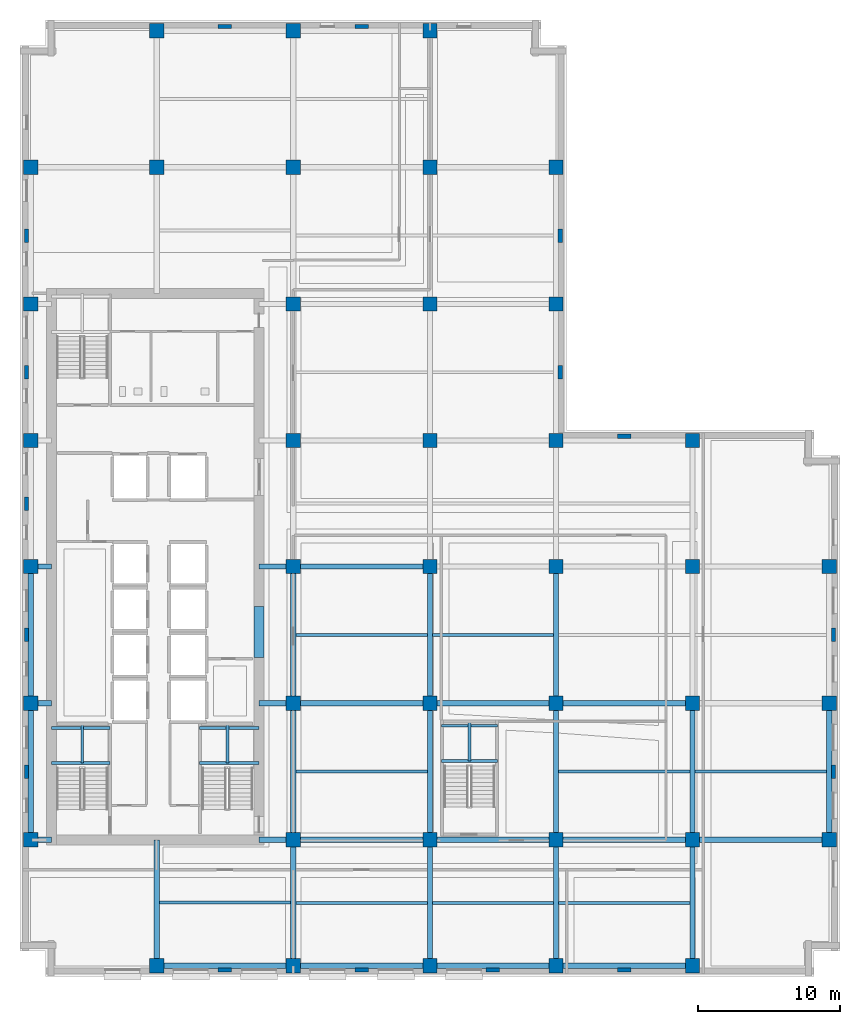
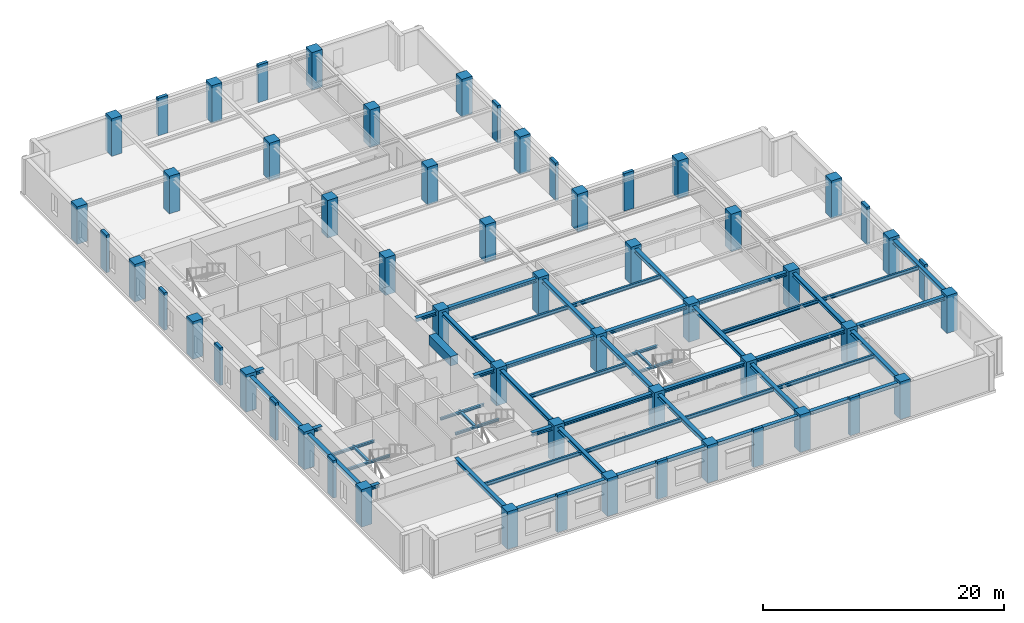
# One storey, part 1 of 12: 56 columns, 52 beams.
"""IFC4 building model written with IfcOpenShell, lengths in metres."""

from ifc_helpers import new_model, si_unit, direction, frame, origin, origin_2d, place, context, subcontext, project, spatial, rectangle, i_section, extrude, material, material_profile, profile_set, type_object, element, save


model = new_model("IFC4")

# Units and contexts
model_context = context("Model", 3, precision=1e-05, world=origin(), true_north=direction((0.0, 1.0)))
body_context = subcontext(model_context, "Body", "Model", "MODEL_VIEW")
ifc_project = project(units=[si_unit("LENGTHUNIT", "METRE"), si_unit("AREAUNIT", "SQUARE_METRE"), si_unit("VOLUMEUNIT", "CUBIC_METRE"), si_unit("PLANEANGLEUNIT", "RADIAN"), si_unit("MASSUNIT", "GRAM", prefix="KILO")], contexts=[model_context])

# Site, building, storey
site_placement = place(None, origin())
site = spatial("IfcSite", under=ifc_project, at=site_placement, CompositionType="ELEMENT")
building_placement = place(site_placement, origin())
building = spatial("IfcBuilding", under=site, at=building_placement, Name="Norrvale University Quadrangle", CompositionType="ELEMENT")
storey_placement = place(building_placement, frame((0.0, 0.0, 105.199951171875)))
storey = spatial("IfcBuildingStorey", under=building, at=storey_placement, Name="L26", CompositionType="ELEMENT", Elevation=105.199951171875)

# Columns
ifc_material_1 = material(Name="Red Manganese Brick Concrete C60/75", Category="concrete")
ifc_material_profile_1 = material_profile(ifc_material_1, rectangle(XDim=0.949951171875, YDim=0.300048828125, at=origin_2d()), Name="Red Manganese Brick Concrete C60/75")
ifc_profile_set_1 = profile_set([ifc_material_profile_1], Name="Red Manganese Brick Concrete C60/75")
column_type_1 = type_object("IfcColumnType", Name="Column Brick Pier 950x300", PredefinedType="PILASTER", material=ifc_profile_set_1)
for number, where, z_axis, x_axis, name in (
    (1, (0.449951171875, 14.39990234375, 0.0), (0.0, 0.0, 1.0), (0.0, 1.0, 0.0), "Exterior Brick Facade Pilaster L26-01"),
    (2, (0.449951171875, 24.0, 0.0), (0.0, 0.0, 1.0), (0.0, 1.0, 0.0), "Exterior Brick Facade Pilaster L26-02"),
    (3, (0.449951171875, 33.199951171875, 0.0), (0.0, 0.0, 1.0), (0.0, 1.0, 0.0), "Exterior Brick Facade Pilaster L26-03"),
    (4, (0.449951171875, 42.449951171875, 0.0), (0.0, 0.0, 1.0), (0.0, 1.0, 0.0), "Exterior Brick Facade Pilaster L26-04"),
    (5, (0.449951171875, 52.050048828125, 0.0), (0.0, 0.0, 1.0), (0.0, 1.0, 0.0), "Exterior Brick Facade Pilaster L26-05"),
    (6, (14.39990234375, 0.449951171875, 0.0), (0.0, 0.0, 1.0), (1.0, 0.0, 0.0), "Exterior Brick Facade Pilaster L26-06"),
    (7, (24.0, 0.449951171875, 0.0), (0.0, 0.0, 1.0), (1.0, 0.0, 0.0), "Exterior Brick Facade Pilaster L26-07"),
    (8, (33.199951171875, 0.449951171875, 0.0), (0.0, 0.0, 1.0), (1.0, 0.0, 0.0), "Exterior Brick Facade Pilaster L26-08"),
    (9, (42.449951171875, 0.449951171875, 0.0), (0.0, 0.0, 1.0), (1.0, 0.0, 0.0), "Exterior Brick Facade Pilaster L26-09"),
    (10, (57.14990234375, 14.39990234375, 0.0), (0.0, 0.0, 1.0), (0.0, 1.0, 0.0), "Exterior Brick Facade Pilaster L26-10"),
    (11, (57.14990234375, 24.0, 0.0), (0.0, 0.0, 1.0), (0.0, 1.0, 0.0), "Exterior Brick Facade Pilaster L26-11"),
    (12, (14.39990234375, 66.75, 0.0), (0.0, 0.0, 1.0), (1.0, 0.0, 0.0), "Exterior Brick Facade Pilaster L26-12"),
    (13, (24.0, 66.75, 0.0), (0.0, 0.0, 1.0), (1.0, 0.0, 0.0), "Exterior Brick Facade Pilaster L26-13"),
    (14, (37.949951171875, 42.449951171875, 0.0), (0.0, 0.0, 1.0), (0.0, 1.0, 0.0), "Exterior Brick Facade Pilaster L26-14"),
    (15, (37.949951171875, 52.050048828125, 0.0), (0.0, 0.0, 1.0), (0.0, 1.0, 0.0), "Exterior Brick Facade Pilaster L26-15"),
    (16, (42.449951171875, 37.949951171875, 0.0), (0.0, 0.0, 1.0), (1.0, 0.0, 0.0), "Exterior Brick Facade Pilaster L26-16"),
):
    element("IfcColumn", number, at=place(storey_placement, frame(where, z_axis=z_axis, x_axis=x_axis)), inside=storey, type_object=column_type_1, Name=name, PredefinedType="PILASTER", context=body_context, shape_type="SweptSolid", body=[
        extrude(rectangle(XDim=0.949951171875, YDim=0.300048828125, at=origin_2d()), origin(), (0.0, 0.0, 1.0), 3.800048828125),
    ])
ifc_material_2 = material(Name="Concrete C60/75", Category="concrete")
ifc_material_profile_2 = material_profile(ifc_material_2, rectangle(XDim=1.0, YDim=1.0, at=origin_2d()), Name="Concrete C60/75")
ifc_profile_set_2 = profile_set([ifc_material_profile_2], Name="Concrete C60/75")
column_type_2 = type_object("IfcColumnType", Name="Column Tower Z2 1000x1000", PredefinedType="COLUMN", material=ifc_profile_set_2)
for number, where, z_axis, x_axis, name in (
    (17, (0.75, 9.60009765625, 0.0), (0.0, 0.0, 1.0), (1.0, 0.0, 0.0), "Tower Column L26-T01"),
    (18, (0.75, 19.199951171875, 0.0), (0.0, 0.0, 1.0), (1.0, 0.0, 0.0), "Tower Column L26-T02"),
    (19, (0.75, 28.800048828125, 0.0), (0.0, 0.0, 1.0), (1.0, 0.0, 0.0), "Tower Column L26-T03"),
    (20, (0.75, 37.64990234375, 0.0), (0.0, 0.0, 1.0), (1.0, 0.0, 0.0), "Tower Column L26-T04"),
    (21, (0.75, 47.25, 0.0), (0.0, 0.0, 1.0), (1.0, 0.0, 0.0), "Tower Column L26-T05"),
    (22, (0.75, 56.85009765625, 0.0), (0.0, 0.0, 1.0), (1.0, 0.0, 0.0), "Tower Column L26-T06"),
    (23, (9.60009765625, 0.75, 0.0), (0.0, 0.0, 1.0), (1.0, 0.0, 0.0), "Tower Column L26-T07"),
    (24, (9.60009765625, 56.85009765625, 0.0), (0.0, 0.0, 1.0), (1.0, 0.0, 0.0), "Tower Column L26-T08"),
    (25, (9.60009765625, 66.449951171875, 0.0), (0.0, 0.0, 1.0), (1.0, 0.0, 0.0), "Tower Column L26-T09"),
    (26, (19.199951171875, 0.75, 0.0), (0.0, 0.0, 1.0), (1.0, 0.0, 0.0), "Tower Column L26-T10"),
    (27, (19.199951171875, 9.60009765625, 0.0), (0.0, 0.0, 1.0), (1.0, 0.0, 0.0), "Tower Column L26-T11"),
    (28, (19.199951171875, 19.199951171875, 0.0), (0.0, 0.0, 1.0), (1.0, 0.0, 0.0), "Tower Column L26-T12"),
    (29, (19.199951171875, 28.800048828125, 0.0), (0.0, 0.0, 1.0), (1.0, 0.0, 0.0), "Tower Column L26-T13"),
    (30, (19.199951171875, 37.64990234375, 0.0), (0.0, 0.0, 1.0), (1.0, 0.0, 0.0), "Tower Column L26-T14"),
    (31, (19.199951171875, 47.25, 0.0), (0.0, 0.0, 1.0), (1.0, 0.0, 0.0), "Tower Column L26-T15"),
    (32, (19.199951171875, 56.85009765625, 0.0), (0.0, 0.0, 1.0), (1.0, 0.0, 0.0), "Tower Column L26-T16"),
    (33, (19.199951171875, 66.449951171875, 0.0), (0.0, 0.0, 1.0), (1.0, 0.0, 0.0), "Tower Column L26-T17"),
    (34, (28.800048828125, 0.75, 0.0), (0.0, 0.0, 1.0), (1.0, 0.0, 0.0), "Tower Column L26-T18"),
    (35, (28.800048828125, 9.60009765625, 0.0), (0.0, 0.0, 1.0), (1.0, 0.0, 0.0), "Tower Column L26-T19"),
    (36, (28.800048828125, 19.199951171875, 0.0), (0.0, 0.0, 1.0), (1.0, 0.0, 0.0), "Tower Column L26-T20"),
    (37, (28.800048828125, 28.800048828125, 0.0), (0.0, 0.0, 1.0), (1.0, 0.0, 0.0), "Tower Column L26-T21"),
    (38, (28.800048828125, 37.64990234375, 0.0), (0.0, 0.0, 1.0), (1.0, 0.0, 0.0), "Tower Column L26-T22"),
    (39, (28.800048828125, 47.25, 0.0), (0.0, 0.0, 1.0), (1.0, 0.0, 0.0), "Tower Column L26-T23"),
    (40, (28.800048828125, 56.85009765625, 0.0), (0.0, 0.0, 1.0), (1.0, 0.0, 0.0), "Tower Column L26-T24"),
    (41, (28.800048828125, 66.449951171875, 0.0), (0.0, 0.0, 1.0), (1.0, 0.0, 0.0), "Tower Column L26-T25"),
    (42, (37.64990234375, 0.75, 0.0), (0.0, 0.0, 1.0), (1.0, 0.0, 0.0), "Tower Column L26-T26"),
    (43, (37.64990234375, 9.60009765625, 0.0), (0.0, 0.0, 1.0), (1.0, 0.0, 0.0), "Tower Column L26-T27"),
    (44, (37.64990234375, 19.199951171875, 0.0), (0.0, 0.0, 1.0), (1.0, 0.0, 0.0), "Tower Column L26-T28"),
    (45, (37.64990234375, 28.800048828125, 0.0), (0.0, 0.0, 1.0), (1.0, 0.0, 0.0), "Tower Column L26-T29"),
    (46, (37.64990234375, 37.64990234375, 0.0), (0.0, 0.0, 1.0), (1.0, 0.0, 0.0), "Tower Column L26-T30"),
    (47, (37.64990234375, 47.25, 0.0), (0.0, 0.0, 1.0), (1.0, 0.0, 0.0), "Tower Column L26-T31"),
    (48, (37.64990234375, 56.85009765625, 0.0), (0.0, 0.0, 1.0), (1.0, 0.0, 0.0), "Tower Column L26-T32"),
    (49, (47.25, 0.75, 0.0), (0.0, 0.0, 1.0), (1.0, 0.0, 0.0), "Tower Column L26-T33"),
    (50, (47.25, 9.60009765625, 0.0), (0.0, 0.0, 1.0), (1.0, 0.0, 0.0), "Tower Column L26-T34"),
    (51, (47.25, 19.199951171875, 0.0), (0.0, 0.0, 1.0), (1.0, 0.0, 0.0), "Tower Column L26-T35"),
    (52, (47.25, 28.800048828125, 0.0), (0.0, 0.0, 1.0), (1.0, 0.0, 0.0), "Tower Column L26-T36"),
    (53, (47.25, 37.64990234375, 0.0), (0.0, 0.0, 1.0), (1.0, 0.0, 0.0), "Tower Column L26-T37"),
    (54, (56.85009765625, 9.60009765625, 0.0), (0.0, 0.0, 1.0), (1.0, 0.0, 0.0), "Tower Column L26-T38"),
    (55, (56.85009765625, 19.199951171875, 0.0), (0.0, 0.0, 1.0), (1.0, 0.0, 0.0), "Tower Column L26-T39"),
    (56, (56.85009765625, 28.800048828125, 0.0), (0.0, 0.0, 1.0), (1.0, 0.0, 0.0), "Tower Column L26-T40"),
):
    element("IfcColumn", number, at=place(storey_placement, frame(where, z_axis=z_axis, x_axis=x_axis)), inside=storey, type_object=column_type_2, Name=name, PredefinedType="COLUMN", context=body_context, shape_type="SweptSolid", body=[
        extrude(rectangle(XDim=1.0, YDim=1.0, at=origin_2d()), origin(), (0.0, 0.0, 1.0), 3.800048828125),
    ])

# Beams
ifc_material_3 = material(Name="Concrete C80/95", Category="concrete")
ifc_material_profile_3 = material_profile(ifc_material_3, rectangle(XDim=0.699951171875, YDim=0.949951171875, at=origin_2d()), Name="Concrete C80/95")
ifc_profile_set_3 = profile_set([ifc_material_profile_3], Name="Concrete C80/95")
beam_type_1 = type_object("IfcBeamType", Name="Beam Core Link 700x950", PredefinedType="LINTEL", material=ifc_profile_set_3)
beam_1_placement = place(storey_placement, frame((16.800048828125, 22.39990234375, 3.06494140625), z_axis=(0.0, 1.0, 0.0), x_axis=(-1.0, 0.0, 0.0)))
element("IfcBeam", 57, at=beam_1_placement, inside=storey, type_object=beam_type_1, Name="Core Coupling Lintel Beam L26-1", PredefinedType="LINTEL", context=body_context, shape_type="SweptSolid", body=[
    extrude(rectangle(XDim=0.699951171875, YDim=0.949951171875, at=origin_2d()), origin(), (0.0, 0.0, 1.0), 3.60009765625),
])
ifc_material_4 = material(Name="Steel 350W", Category="steel")
ifc_material_profile_4 = material_profile(ifc_material_4, i_section(OverallWidth=0.368896484375, OverallDepth=0.35595703125, WebThickness=0.01123046875, FlangeThickness=0.01806640625, FilletRadius=0.014892578125, at=origin_2d()), Name="Steel 350W")
ifc_profile_set_4 = profile_set([ifc_material_profile_4], Name="Steel 350W")
beam_type_2 = type_object("IfcBeamType", Name="Beam Crown W360x134", PredefinedType="BEAM", material=ifc_profile_set_4)
beam_2_placement = place(storey_placement, frame((9.60009765625, 0.75, 3.362060546875), z_axis=(1.0, 0.0, 0.0), x_axis=(0.0, 1.0, 0.0)))
element("IfcBeam", 58, at=beam_2_placement, inside=storey, type_object=beam_type_2, Name="Beam Crown W360x134 BM-L26-GX001", PredefinedType="BEAM", context=body_context, shape_type="SweptSolid", body=[
    extrude(i_section(OverallWidth=0.368896484375, OverallDepth=0.35595703125, WebThickness=0.01123046875, FlangeThickness=0.01806640625, FilletRadius=0.014892578125, at=origin_2d()), origin(), (0.0, 0.0, 1.0), 9.599853515625),
])
beam_3_placement = place(storey_placement, frame((19.199951171875, 0.75, 3.362060546875), z_axis=(1.0, 0.0, 0.0), x_axis=(0.0, 1.0, 0.0)))
element("IfcBeam", 59, at=beam_3_placement, inside=storey, type_object=beam_type_2, Name="Beam Crown W360x134 BM-L26-GX002", PredefinedType="BEAM", context=body_context, shape_type="SweptSolid", body=[
    extrude(i_section(OverallWidth=0.368896484375, OverallDepth=0.35595703125, WebThickness=0.01123046875, FlangeThickness=0.01806640625, FilletRadius=0.014892578125, at=origin_2d()), origin(), (0.0, 0.0, 1.0), 9.60009765625),
])
beam_4_placement = place(storey_placement, frame((28.800048828125, 0.75, 3.362060546875), z_axis=(1.0, 0.0, 0.0), x_axis=(0.0, 1.0, 0.0)))
element("IfcBeam", 60, at=beam_4_placement, inside=storey, type_object=beam_type_2, Name="Beam Crown W360x134 BM-L26-GX003", PredefinedType="BEAM", context=body_context, shape_type="SweptSolid", body=[
    extrude(i_section(OverallWidth=0.368896484375, OverallDepth=0.35595703125, WebThickness=0.01123046875, FlangeThickness=0.01806640625, FilletRadius=0.014892578125, at=origin_2d()), origin(), (0.0, 0.0, 1.0), 8.849853515625),
])
for number, where, z_axis, x_axis, name in (
    (61, (37.64990234375, 0.75, 3.362060546875), (1.0, 0.0, 0.0), (0.0, 1.0, 0.0), "Beam Crown W360x134 BM-L26-GX004"),
    (62, (19.199951171875, 9.60009765625, 3.362060546875), (1.0, 0.0, 0.0), (0.0, 1.0, 0.0), "Beam Crown W360x134 BM-L26-GX005"),
):
    element("IfcBeam", number, at=place(storey_placement, frame(where, z_axis=z_axis, x_axis=x_axis)), inside=storey, type_object=beam_type_2, Name=name, PredefinedType="BEAM", context=body_context, shape_type="SweptSolid", body=[
        extrude(i_section(OverallWidth=0.368896484375, OverallDepth=0.35595703125, WebThickness=0.01123046875, FlangeThickness=0.01806640625, FilletRadius=0.014892578125, at=origin_2d()), origin(), (0.0, 0.0, 1.0), 9.60009765625),
    ])
beam_5_placement = place(storey_placement, frame((28.800048828125, 9.60009765625, 3.362060546875), z_axis=(1.0, 0.0, 0.0), x_axis=(0.0, 1.0, 0.0)))
element("IfcBeam", 63, at=beam_5_placement, inside=storey, type_object=beam_type_2, Name="Beam Crown W360x134 BM-L26-GX006", PredefinedType="BEAM", context=body_context, shape_type="SweptSolid", body=[
    extrude(i_section(OverallWidth=0.368896484375, OverallDepth=0.35595703125, WebThickness=0.01123046875, FlangeThickness=0.01806640625, FilletRadius=0.014892578125, at=origin_2d()), origin(), (0.0, 0.0, 1.0), 8.849853515625),
])
for number, where, z_axis, x_axis, name in (
    (64, (37.64990234375, 9.60009765625, 3.362060546875), (1.0, 0.0, 0.0), (0.0, 1.0, 0.0), "Beam Crown W360x134 BM-L26-GX007"),
    (65, (47.25, 9.60009765625, 3.362060546875), (1.0, 0.0, 0.0), (0.0, 1.0, 0.0), "Beam Crown W360x134 BM-L26-GX008"),
    (66, (19.199951171875, 19.199951171875, 3.362060546875), (1.0, 0.0, 0.0), (0.0, 1.0, 0.0), "Beam Crown W360x134 BM-L26-GX009"),
):
    element("IfcBeam", number, at=place(storey_placement, frame(where, z_axis=z_axis, x_axis=x_axis)), inside=storey, type_object=beam_type_2, Name=name, PredefinedType="BEAM", context=body_context, shape_type="SweptSolid", body=[
        extrude(i_section(OverallWidth=0.368896484375, OverallDepth=0.35595703125, WebThickness=0.01123046875, FlangeThickness=0.01806640625, FilletRadius=0.014892578125, at=origin_2d()), origin(), (0.0, 0.0, 1.0), 9.60009765625),
    ])
beam_6_placement = place(storey_placement, frame((28.800048828125, 19.199951171875, 3.362060546875), z_axis=(1.0, 0.0, 0.0), x_axis=(0.0, 1.0, 0.0)))
element("IfcBeam", 67, at=beam_6_placement, inside=storey, type_object=beam_type_2, Name="Beam Crown W360x134 BM-L26-GX010", PredefinedType="BEAM", context=body_context, shape_type="SweptSolid", body=[
    extrude(i_section(OverallWidth=0.368896484375, OverallDepth=0.35595703125, WebThickness=0.01123046875, FlangeThickness=0.01806640625, FilletRadius=0.014892578125, at=origin_2d()), origin(), (0.0, 0.0, 1.0), 8.849853515625),
])
for number, where, z_axis, x_axis, name in (
    (68, (37.64990234375, 19.199951171875, 3.362060546875), (1.0, 0.0, 0.0), (0.0, 1.0, 0.0), "Beam Crown W360x134 BM-L26-GX011"),
    (69, (19.199951171875, 28.800048828125, 3.362060546875), (1.0, 0.0, 0.0), (0.0, 1.0, 0.0), "Beam Crown W360x134 BM-L26-GX013"),
):
    element("IfcBeam", number, at=place(storey_placement, frame(where, z_axis=z_axis, x_axis=x_axis)), inside=storey, type_object=beam_type_2, Name=name, PredefinedType="BEAM", context=body_context, shape_type="SweptSolid", body=[
        extrude(i_section(OverallWidth=0.368896484375, OverallDepth=0.35595703125, WebThickness=0.01123046875, FlangeThickness=0.01806640625, FilletRadius=0.014892578125, at=origin_2d()), origin(), (0.0, 0.0, 1.0), 9.60009765625),
    ])
beam_7_placement = place(storey_placement, frame((0.75, 9.60009765625, 3.362060546875), z_axis=(0.0, 1.0, 0.0), x_axis=(-1.0, 0.0, 0.0)))
element("IfcBeam", 70, at=beam_7_placement, inside=storey, type_object=beam_type_2, Name="Beam Crown W360x134 BM-L26-GY028", PredefinedType="BEAM", context=body_context, shape_type="SweptSolid", body=[
    extrude(i_section(OverallWidth=0.368896484375, OverallDepth=0.35595703125, WebThickness=0.01123046875, FlangeThickness=0.01806640625, FilletRadius=0.014892578125, at=origin_2d()), origin(), (0.0, 0.0, 1.0), 9.599853515625),
])
beam_8_placement = place(storey_placement, frame((0.75, 19.199951171875, 3.362060546875), z_axis=(0.0, 1.0, 0.0), x_axis=(-1.0, 0.0, 0.0)))
element("IfcBeam", 71, at=beam_8_placement, inside=storey, type_object=beam_type_2, Name="Beam Crown W360x134 BM-L26-GY029", PredefinedType="BEAM", context=body_context, shape_type="SweptSolid", body=[
    extrude(i_section(OverallWidth=0.368896484375, OverallDepth=0.35595703125, WebThickness=0.01123046875, FlangeThickness=0.01806640625, FilletRadius=0.014892578125, at=origin_2d()), origin(), (0.0, 0.0, 1.0), 9.60009765625),
])
beam_9_placement = place(storey_placement, frame((19.199951171875, 0.75, 3.362060546875), z_axis=(0.0, 1.0, 0.0), x_axis=(-1.0, 0.0, 0.0)))
element("IfcBeam", 72, at=beam_9_placement, inside=storey, type_object=beam_type_2, Name="Beam Crown W360x134 BM-L26-GY034", PredefinedType="BEAM", context=body_context, shape_type="SweptSolid", body=[
    extrude(i_section(OverallWidth=0.368896484375, OverallDepth=0.35595703125, WebThickness=0.01123046875, FlangeThickness=0.01806640625, FilletRadius=0.014892578125, at=origin_2d()), origin(), (0.0, 0.0, 1.0), 8.85009765625),
])
beam_10_placement = place(storey_placement, frame((19.199951171875, 9.60009765625, 3.362060546875), z_axis=(0.0, 1.0, 0.0), x_axis=(-1.0, 0.0, 0.0)))
element("IfcBeam", 73, at=beam_10_placement, inside=storey, type_object=beam_type_2, Name="Beam Crown W360x134 BM-L26-GY035", PredefinedType="BEAM", context=body_context, shape_type="SweptSolid", body=[
    extrude(i_section(OverallWidth=0.368896484375, OverallDepth=0.35595703125, WebThickness=0.01123046875, FlangeThickness=0.01806640625, FilletRadius=0.014892578125, at=origin_2d()), origin(), (0.0, 0.0, 1.0), 9.599853515625),
])
beam_11_placement = place(storey_placement, frame((19.199951171875, 19.199951171875, 3.362060546875), z_axis=(0.0, 1.0, 0.0), x_axis=(-1.0, 0.0, 0.0)))
element("IfcBeam", 74, at=beam_11_placement, inside=storey, type_object=beam_type_2, Name="Beam Crown W360x134 BM-L26-GY036", PredefinedType="BEAM", context=body_context, shape_type="SweptSolid", body=[
    extrude(i_section(OverallWidth=0.368896484375, OverallDepth=0.35595703125, WebThickness=0.01123046875, FlangeThickness=0.01806640625, FilletRadius=0.014892578125, at=origin_2d()), origin(), (0.0, 0.0, 1.0), 9.60009765625),
])
beam_12_placement = place(storey_placement, frame((28.800048828125, 0.75, 3.362060546875), z_axis=(0.0, 1.0, 0.0), x_axis=(-1.0, 0.0, 0.0)))
element("IfcBeam", 75, at=beam_12_placement, inside=storey, type_object=beam_type_2, Name="Beam Crown W360x134 BM-L26-GY041", PredefinedType="BEAM", context=body_context, shape_type="SweptSolid", body=[
    extrude(i_section(OverallWidth=0.368896484375, OverallDepth=0.35595703125, WebThickness=0.01123046875, FlangeThickness=0.01806640625, FilletRadius=0.014892578125, at=origin_2d()), origin(), (0.0, 0.0, 1.0), 8.85009765625),
])
beam_13_placement = place(storey_placement, frame((28.800048828125, 9.60009765625, 3.362060546875), z_axis=(0.0, 1.0, 0.0), x_axis=(-1.0, 0.0, 0.0)))
element("IfcBeam", 76, at=beam_13_placement, inside=storey, type_object=beam_type_2, Name="Beam Crown W360x134 BM-L26-GY042", PredefinedType="BEAM", context=body_context, shape_type="SweptSolid", body=[
    extrude(i_section(OverallWidth=0.368896484375, OverallDepth=0.35595703125, WebThickness=0.01123046875, FlangeThickness=0.01806640625, FilletRadius=0.014892578125, at=origin_2d()), origin(), (0.0, 0.0, 1.0), 9.599853515625),
])
beam_14_placement = place(storey_placement, frame((28.800048828125, 19.199951171875, 3.362060546875), z_axis=(0.0, 1.0, 0.0), x_axis=(-1.0, 0.0, 0.0)))
element("IfcBeam", 77, at=beam_14_placement, inside=storey, type_object=beam_type_2, Name="Beam Crown W360x134 BM-L26-GY043", PredefinedType="BEAM", context=body_context, shape_type="SweptSolid", body=[
    extrude(i_section(OverallWidth=0.368896484375, OverallDepth=0.35595703125, WebThickness=0.01123046875, FlangeThickness=0.01806640625, FilletRadius=0.014892578125, at=origin_2d()), origin(), (0.0, 0.0, 1.0), 9.60009765625),
])
beam_15_placement = place(storey_placement, frame((37.64990234375, 0.75, 3.362060546875), z_axis=(0.0, 1.0, 0.0), x_axis=(-1.0, 0.0, 0.0)))
element("IfcBeam", 78, at=beam_15_placement, inside=storey, type_object=beam_type_2, Name="Beam Crown W360x134 BM-L26-GY048", PredefinedType="BEAM", context=body_context, shape_type="SweptSolid", body=[
    extrude(i_section(OverallWidth=0.368896484375, OverallDepth=0.35595703125, WebThickness=0.01123046875, FlangeThickness=0.01806640625, FilletRadius=0.014892578125, at=origin_2d()), origin(), (0.0, 0.0, 1.0), 8.85009765625),
])
beam_16_placement = place(storey_placement, frame((37.64990234375, 9.60009765625, 3.362060546875), z_axis=(0.0, 1.0, 0.0), x_axis=(-1.0, 0.0, 0.0)))
element("IfcBeam", 79, at=beam_16_placement, inside=storey, type_object=beam_type_2, Name="Beam Crown W360x134 BM-L26-GY049", PredefinedType="BEAM", context=body_context, shape_type="SweptSolid", body=[
    extrude(i_section(OverallWidth=0.368896484375, OverallDepth=0.35595703125, WebThickness=0.01123046875, FlangeThickness=0.01806640625, FilletRadius=0.014892578125, at=origin_2d()), origin(), (0.0, 0.0, 1.0), 9.599853515625),
])
beam_17_placement = place(storey_placement, frame((37.64990234375, 19.199951171875, 3.362060546875), z_axis=(0.0, 1.0, 0.0), x_axis=(-1.0, 0.0, 0.0)))
element("IfcBeam", 80, at=beam_17_placement, inside=storey, type_object=beam_type_2, Name="Beam Crown W360x134 BM-L26-GY050", PredefinedType="BEAM", context=body_context, shape_type="SweptSolid", body=[
    extrude(i_section(OverallWidth=0.368896484375, OverallDepth=0.35595703125, WebThickness=0.01123046875, FlangeThickness=0.01806640625, FilletRadius=0.014892578125, at=origin_2d()), origin(), (0.0, 0.0, 1.0), 9.60009765625),
])
beam_18_placement = place(storey_placement, frame((47.25, 0.75, 3.362060546875), z_axis=(0.0, 1.0, 0.0), x_axis=(-1.0, 0.0, 0.0)))
element("IfcBeam", 81, at=beam_18_placement, inside=storey, type_object=beam_type_2, Name="Beam Crown W360x134 BM-L26-GY054", PredefinedType="BEAM", context=body_context, shape_type="SweptSolid", body=[
    extrude(i_section(OverallWidth=0.368896484375, OverallDepth=0.35595703125, WebThickness=0.01123046875, FlangeThickness=0.01806640625, FilletRadius=0.014892578125, at=origin_2d()), origin(), (0.0, 0.0, 1.0), 8.85009765625),
])
for number, where, z_axis, x_axis, name in (
    (82, (47.25, 9.60009765625, 3.362060546875), (0.0, 1.0, 0.0), (-1.0, 0.0, 0.0), "Beam Crown W360x134 BM-L26-GY055"),
    (83, (56.85009765625, 9.60009765625, 3.362060546875), (0.0, 1.0, 0.0), (-1.0, 0.0, 0.0), "Beam Crown W360x134 BM-L26-GY058"),
):
    element("IfcBeam", number, at=place(storey_placement, frame(where, z_axis=z_axis, x_axis=x_axis)), inside=storey, type_object=beam_type_2, Name=name, PredefinedType="BEAM", context=body_context, shape_type="SweptSolid", body=[
        extrude(i_section(OverallWidth=0.368896484375, OverallDepth=0.35595703125, WebThickness=0.01123046875, FlangeThickness=0.01806640625, FilletRadius=0.014892578125, at=origin_2d()), origin(), (0.0, 0.0, 1.0), 9.599853515625),
    ])
beam_19_placement = place(storey_placement, frame((0.75, 9.60009765625, 3.362060546875), z_axis=(1.0, 0.0, 0.0), x_axis=(0.0, 1.0, 0.0)))
element("IfcBeam", 84, at=beam_19_placement, inside=storey, type_object=beam_type_2, Name="Beam Crown W360x134 BM-L26-GCW060", PredefinedType="BEAM", context=body_context, shape_type="SweptSolid", body=[
    extrude(i_section(OverallWidth=0.368896484375, OverallDepth=0.35595703125, WebThickness=0.01123046875, FlangeThickness=0.01806640625, FilletRadius=0.014892578125, at=origin_2d()), origin(), (0.0, 0.0, 1.0), 1.449951171875),
])
beam_20_placement = place(storey_placement, frame((16.800048828125, 9.60009765625, 3.362060546875), z_axis=(1.0, 0.0, 0.0), x_axis=(0.0, 1.0, 0.0)))
element("IfcBeam", 85, at=beam_20_placement, inside=storey, type_object=beam_type_2, Name="Beam Crown W360x134 BM-L26-GCE061", PredefinedType="BEAM", context=body_context, shape_type="SweptSolid", body=[
    extrude(i_section(OverallWidth=0.368896484375, OverallDepth=0.35595703125, WebThickness=0.01123046875, FlangeThickness=0.01806640625, FilletRadius=0.014892578125, at=origin_2d()), origin(), (0.0, 0.0, 1.0), 2.39990234375),
])
beam_21_placement = place(storey_placement, frame((0.75, 19.199951171875, 3.362060546875), z_axis=(1.0, 0.0, 0.0), x_axis=(0.0, 1.0, 0.0)))
element("IfcBeam", 86, at=beam_21_placement, inside=storey, type_object=beam_type_2, Name="Beam Crown W360x134 BM-L26-GCW062", PredefinedType="BEAM", context=body_context, shape_type="SweptSolid", body=[
    extrude(i_section(OverallWidth=0.368896484375, OverallDepth=0.35595703125, WebThickness=0.01123046875, FlangeThickness=0.01806640625, FilletRadius=0.014892578125, at=origin_2d()), origin(), (0.0, 0.0, 1.0), 1.449951171875),
])
beam_22_placement = place(storey_placement, frame((16.800048828125, 19.199951171875, 3.362060546875), z_axis=(1.0, 0.0, 0.0), x_axis=(0.0, 1.0, 0.0)))
element("IfcBeam", 87, at=beam_22_placement, inside=storey, type_object=beam_type_2, Name="Beam Crown W360x134 BM-L26-GCE063", PredefinedType="BEAM", context=body_context, shape_type="SweptSolid", body=[
    extrude(i_section(OverallWidth=0.368896484375, OverallDepth=0.35595703125, WebThickness=0.01123046875, FlangeThickness=0.01806640625, FilletRadius=0.014892578125, at=origin_2d()), origin(), (0.0, 0.0, 1.0), 2.39990234375),
])
beam_23_placement = place(storey_placement, frame((0.75, 28.800048828125, 3.362060546875), z_axis=(1.0, 0.0, 0.0), x_axis=(0.0, 1.0, 0.0)))
element("IfcBeam", 88, at=beam_23_placement, inside=storey, type_object=beam_type_2, Name="Beam Crown W360x134 BM-L26-GCW064", PredefinedType="BEAM", context=body_context, shape_type="SweptSolid", body=[
    extrude(i_section(OverallWidth=0.368896484375, OverallDepth=0.35595703125, WebThickness=0.01123046875, FlangeThickness=0.01806640625, FilletRadius=0.014892578125, at=origin_2d()), origin(), (0.0, 0.0, 1.0), 1.449951171875),
])
beam_24_placement = place(storey_placement, frame((16.800048828125, 28.800048828125, 3.362060546875), z_axis=(1.0, 0.0, 0.0), x_axis=(0.0, 1.0, 0.0)))
element("IfcBeam", 89, at=beam_24_placement, inside=storey, type_object=beam_type_2, Name="Beam Crown W360x134 BM-L26-GCE065", PredefinedType="BEAM", context=body_context, shape_type="SweptSolid", body=[
    extrude(i_section(OverallWidth=0.368896484375, OverallDepth=0.35595703125, WebThickness=0.01123046875, FlangeThickness=0.01806640625, FilletRadius=0.014892578125, at=origin_2d()), origin(), (0.0, 0.0, 1.0), 2.39990234375),
])
beam_25_placement = place(storey_placement, frame((9.60009765625, 0.75, 3.362060546875), z_axis=(0.0, 1.0, 0.0), x_axis=(-1.0, 0.0, 0.0)))
element("IfcBeam", 90, at=beam_25_placement, inside=storey, type_object=beam_type_2, Name="Beam Crown W360x134 BM-L26-GCS089", PredefinedType="BEAM", context=body_context, shape_type="SweptSolid", body=[
    extrude(i_section(OverallWidth=0.368896484375, OverallDepth=0.35595703125, WebThickness=0.01123046875, FlangeThickness=0.01806640625, FilletRadius=0.014892578125, at=origin_2d()), origin(), (0.0, 0.0, 1.0), 8.85009765625),
])
ifc_material_profile_5 = material_profile(ifc_material_4, i_section(OverallWidth=0.205078125, OverallDepth=0.35400390625, WebThickness=0.009521484375, FlangeThickness=0.016845703125, FilletRadius=0.011962890625, at=origin_2d()), Name="Steel 350W")
ifc_profile_set_5 = profile_set([ifc_material_profile_5], Name="Steel 350W")
beam_type_3 = type_object("IfcBeamType", Name="Beam Crown W360x79", PredefinedType="BEAM", material=ifc_profile_set_5)
for number, where, z_axis, x_axis, name in (
    (91, (19.384521484375, 5.175048828125, 3.363037109375), (1.0, 0.0, 0.0), (0.0, 1.0, 0.0), "Beam Crown W360x79 BM-L26-J071"),
    (92, (19.384521484375, 14.39990234375, 3.363037109375), (1.0, 0.0, 0.0), (0.0, 1.0, 0.0), "Beam Crown W360x79 BM-L26-J072"),
    (93, (19.384521484375, 24.0, 3.363037109375), (1.0, 0.0, 0.0), (0.0, 1.0, 0.0), "Beam Crown W360x79 BM-L26-J073"),
):
    element("IfcBeam", number, at=place(storey_placement, frame(where, z_axis=z_axis, x_axis=x_axis)), inside=storey, type_object=beam_type_3, Name=name, PredefinedType="BEAM", context=body_context, shape_type="SweptSolid", body=[
        extrude(i_section(OverallWidth=0.205078125, OverallDepth=0.35400390625, WebThickness=0.009521484375, FlangeThickness=0.016845703125, FilletRadius=0.011962890625, at=origin_2d()), origin(), (0.0, 0.0, 1.0), 9.23095703125),
    ])
for number, where, z_axis, x_axis, name in (
    (94, (28.984619140625, 5.175048828125, 3.363037109375), (1.0, 0.0, 0.0), (0.0, 1.0, 0.0), "Beam Crown W360x79 BM-L26-J078"),
    (95, (28.984619140625, 24.0, 3.363037109375), (1.0, 0.0, 0.0), (0.0, 1.0, 0.0), "Beam Crown W360x79 BM-L26-J079"),
):
    element("IfcBeam", number, at=place(storey_placement, frame(where, z_axis=z_axis, x_axis=x_axis)), inside=storey, type_object=beam_type_3, Name=name, PredefinedType="BEAM", context=body_context, shape_type="SweptSolid", body=[
        extrude(i_section(OverallWidth=0.205078125, OverallDepth=0.35400390625, WebThickness=0.009521484375, FlangeThickness=0.016845703125, FilletRadius=0.011962890625, at=origin_2d()), origin(), (0.0, 0.0, 1.0), 8.48095703125),
    ])
for number, where, z_axis, x_axis, name in (
    (96, (37.83447265625, 5.175048828125, 3.363037109375), (1.0, 0.0, 0.0), (0.0, 1.0, 0.0), "Beam Crown W360x79 BM-L26-J083"),
    (97, (37.83447265625, 14.39990234375, 3.363037109375), (1.0, 0.0, 0.0), (0.0, 1.0, 0.0), "Beam Crown W360x79 BM-L26-J084"),
    (98, (47.4345703125, 14.39990234375, 3.363037109375), (1.0, 0.0, 0.0), (0.0, 1.0, 0.0), "Beam Crown W360x79 BM-L26-J087"),
    (99, (9.784423828125, 5.199951171875, 3.363037109375), (1.0, 0.0, 0.0), (0.0, 1.0, 0.0), "Beam Crown W360x79 BM-L26-JCS090"),
):
    element("IfcBeam", number, at=place(storey_placement, frame(where, z_axis=z_axis, x_axis=x_axis)), inside=storey, type_object=beam_type_3, Name=name, PredefinedType="BEAM", context=body_context, shape_type="SweptSolid", body=[
        extrude(i_section(OverallWidth=0.205078125, OverallDepth=0.35400390625, WebThickness=0.009521484375, FlangeThickness=0.016845703125, FilletRadius=0.011962890625, at=origin_2d()), origin(), (0.0, 0.0, 1.0), 9.23095703125),
    ])
ifc_material_profile_6 = material_profile(ifc_material_4, i_section(OverallWidth=0.201904296875, OverallDepth=0.2470703125, WebThickness=0.00732421875, FlangeThickness=0.010986328125, FilletRadius=0.011962890625, at=origin_2d()), Name="Steel 350W")
ifc_profile_set_6 = profile_set([ifc_material_profile_6], Name="Steel 350W")
beam_type_4 = type_object("IfcBeamType", Name="Beam Stair W250x49", PredefinedType="BEAM", material=ifc_profile_set_6)
for number, where, z_axis, x_axis, name in (
    (100, (2.199951171875, 14.989990234375, 1.57666015625), (1.0, 0.0, 0.0), (0.0, 1.0, 0.0), "Stair Mid-Landing Front Beam ST-01 L26"),
    (101, (2.199951171875, 17.469970703125, 1.57666015625), (1.0, 0.0, 0.0), (0.0, 1.0, 0.0), "Stair Mid-Landing Rear Beam ST-01 L26"),
):
    element("IfcBeam", number, at=place(storey_placement, frame(where, z_axis=z_axis, x_axis=x_axis)), inside=storey, type_object=beam_type_4, Name=name, PredefinedType="BEAM", context=body_context, shape_type="SweptSolid", body=[
        extrude(i_section(OverallWidth=0.201904296875, OverallDepth=0.2470703125, WebThickness=0.00732421875, FlangeThickness=0.010986328125, FilletRadius=0.011962890625, at=origin_2d()), origin(), (0.0, 0.0, 1.0), 4.14013671875),
    ])
for number, where, z_axis, x_axis, name in (
    (102, (12.610107421875, 14.989990234375, 1.57666015625), (1.0, 0.0, 0.0), (0.0, 1.0, 0.0), "Stair Mid-Landing Front Beam ST-03 L26"),
    (103, (12.610107421875, 17.469970703125, 1.57666015625), (1.0, 0.0, 0.0), (0.0, 1.0, 0.0), "Stair Mid-Landing Rear Beam ST-03 L26"),
):
    element("IfcBeam", number, at=place(storey_placement, frame(where, z_axis=z_axis, x_axis=x_axis)), inside=storey, type_object=beam_type_4, Name=name, PredefinedType="BEAM", context=body_context, shape_type="SweptSolid", body=[
        extrude(i_section(OverallWidth=0.201904296875, OverallDepth=0.2470703125, WebThickness=0.00732421875, FlangeThickness=0.010986328125, FilletRadius=0.011962890625, at=origin_2d()), origin(), (0.0, 0.0, 1.0), 4.18994140625),
    ])
for number, where, z_axis, x_axis, name in (
    (104, (29.610107421875, 15.139892578125, 1.57666015625), (1.0, 0.0, 0.0), (0.0, 1.0, 0.0), "Stair Mid-Landing Front Beam ST-04 L26"),
    (105, (29.610107421875, 17.6201171875, 1.57666015625), (1.0, 0.0, 0.0), (0.0, 1.0, 0.0), "Stair Mid-Landing Rear Beam ST-04 L26"),
):
    element("IfcBeam", number, at=place(storey_placement, frame(where, z_axis=z_axis, x_axis=x_axis)), inside=storey, type_object=beam_type_4, Name=name, PredefinedType="BEAM", context=body_context, shape_type="SweptSolid", body=[
        extrude(i_section(OverallWidth=0.201904296875, OverallDepth=0.2470703125, WebThickness=0.00732421875, FlangeThickness=0.010986328125, FilletRadius=0.011962890625, at=origin_2d()), origin(), (0.0, 0.0, 1.0), 3.929931640625),
    ])
ifc_material_profile_7 = material_profile(ifc_material_4, i_section(OverallWidth=0.202880859375, OverallDepth=0.202880859375, WebThickness=0.007080078125, FlangeThickness=0.010986328125, FilletRadius=0.010009765625, at=origin_2d()), Name="Steel 350W")
ifc_profile_set_7 = profile_set([ifc_material_profile_7], Name="Steel 350W")
beam_type_5 = type_object("IfcBeamType", Name="Beam Trim W200x46", PredefinedType="BEAM", material=ifc_profile_set_7)
for number, where, z_axis, x_axis, name in (
    (106, (4.375, 14.989990234375, 1.5986328125), (0.0, 1.0, 0.0), (-1.0, 0.0, 0.0), "Stair Mid-Landing Cross Beam ST-01 L26"),
    (107, (14.574951171875, 14.989990234375, 1.5986328125), (0.0, 1.0, 0.0), (-1.0, 0.0, 0.0), "Stair Mid-Landing Cross Beam ST-03 L26"),
    (108, (31.574951171875, 15.139892578125, 1.5986328125), (0.0, 1.0, 0.0), (-1.0, 0.0, 0.0), "Stair Mid-Landing Cross Beam ST-04 L26"),
):
    element("IfcBeam", number, at=place(storey_placement, frame(where, z_axis=z_axis, x_axis=x_axis)), inside=storey, type_object=beam_type_5, Name=name, PredefinedType="BEAM", context=body_context, shape_type="SweptSolid", body=[
        extrude(i_section(OverallWidth=0.202880859375, OverallDepth=0.202880859375, WebThickness=0.007080078125, FlangeThickness=0.010986328125, FilletRadius=0.010009765625, at=origin_2d()), origin(), (0.0, 0.0, 1.0), 2.800048828125),
    ])

save(model, "model.ifc")
